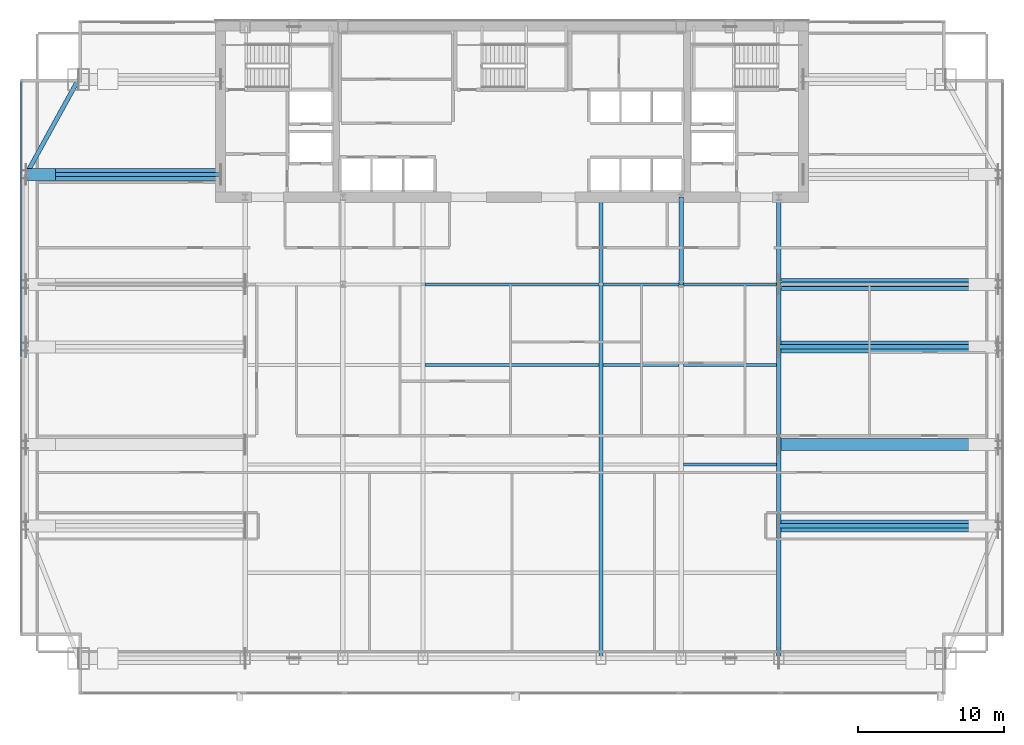
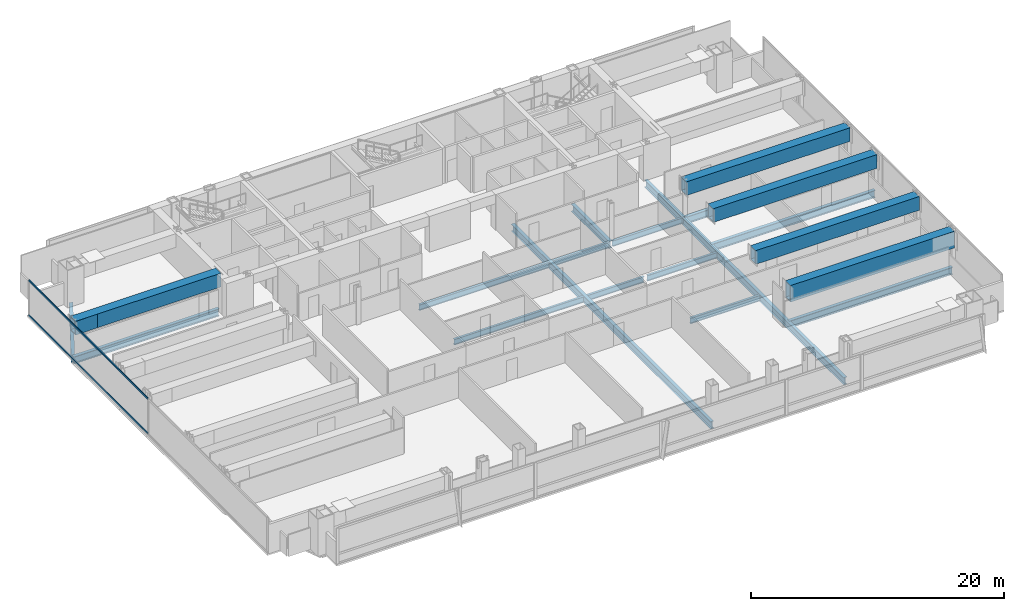
# One storey, part 15 of 30: 22 beams, 2 members, 1 element without a shape of its own.
"""IFC4 building model written with IfcOpenShell, lengths in metres."""

from ifc_helpers import new_model, si_unit, direction, frame, origin, origin_2d, place, context, subcontext, project, spatial, hollow_rectangle, i_section, extrude, material, material_profile, profile_set, type_object, element, aggregate, save


model = new_model("IFC4")

# Units and contexts
model_context = context("Model", 3, precision=1e-05, world=origin(), true_north=direction((0.0, 1.0)))
body_context = subcontext(model_context, "Body", "Model", "MODEL_VIEW")
ifc_project = project(units=[si_unit("LENGTHUNIT", "METRE"), si_unit("AREAUNIT", "SQUARE_METRE"), si_unit("VOLUMEUNIT", "CUBIC_METRE"), si_unit("PLANEANGLEUNIT", "RADIAN"), si_unit("MASSUNIT", "GRAM", prefix="KILO")], contexts=[model_context])

# Site, building, storey
site_placement = place(None, origin())
site = spatial("IfcSite", under=ifc_project, at=site_placement, CompositionType="ELEMENT")
building_placement = place(site_placement, origin())
building = spatial("IfcBuilding", under=site, at=building_placement, Name="Khoronbel Lancet Exchange", CompositionType="ELEMENT")
storey_placement = place(building_placement, frame((0.0, 0.0, 132.60009765625)))
storey = spatial("IfcBuildingStorey", under=building, at=storey_placement, Name="L32", CompositionType="ELEMENT", Elevation=132.60009765625)

# Beams
ifc_material_1 = material(Name="Steel S355", Category="steel")
ifc_material_profile_1 = material_profile(ifc_material_1, i_section(OverallWidth=0.300048828125, OverallDepth=0.699951171875, WebThickness=0.01708984375, FlangeThickness=0.031982421875, at=origin_2d()), Name="HEB 700")
ifc_profile_set_1 = profile_set([ifc_material_profile_1], Name="Steel S355")
beam_type_1 = type_object("IfcBeamType", Name="BM-BG3", PredefinedType="BEAM", material=ifc_profile_set_1)
beam_1_placement = place(storey_placement, frame((42.52490234375, 10.14990234375, -0.510009765625), z_axis=(0.0, 1.0, 0.0), x_axis=(-1.0, 0.0, 0.0)))
element("IfcBeam", 1, at=beam_1_placement, inside=storey, type_object=beam_type_1, Name="Level L32 primary floor girder G4", PredefinedType="BEAM", context=body_context, shape_type="SweptSolid", body=[
    extrude(i_section(OverallWidth=0.300048828125, OverallDepth=0.699951171875, WebThickness=0.01708984375, FlangeThickness=0.031982421875, at=origin_2d()), origin(), (0.0, 0.0, 1.0), 31.5),
])
beam_2_placement = place(storey_placement, frame((48.0, 35.699951171875, -0.510009765625), z_axis=(0.0, 1.0, 0.0), x_axis=(-1.0, 0.0, 0.0)))
element("IfcBeam", 2, at=beam_2_placement, inside=storey, type_object=beam_type_1, Name="Level L32 spine tie girder GN5", PredefinedType="BEAM", context=body_context, shape_type="SweptSolid", body=[
    extrude(i_section(OverallWidth=0.300048828125, OverallDepth=0.699951171875, WebThickness=0.01708984375, FlangeThickness=0.031982421875, at=origin_2d()), origin(), (0.0, 0.0, 1.0), 5.949951171875),
])
beam_3_placement = place(storey_placement, frame((54.675048828125, 10.14990234375, -0.510009765625), z_axis=(0.0, 1.0, 0.0), x_axis=(-1.0, 0.0, 0.0)))
element("IfcBeam", 3, at=beam_3_placement, inside=storey, type_object=beam_type_1, Name="Level L32 south primary girder GS6", PredefinedType="BEAM", context=body_context, shape_type="SweptSolid", body=[
    extrude(i_section(OverallWidth=0.300048828125, OverallDepth=0.699951171875, WebThickness=0.01708984375, FlangeThickness=0.031982421875, at=origin_2d()), origin(), (0.0, 0.0, 1.0), 25.550048828125),
])
beam_4_placement = place(storey_placement, frame((54.675048828125, 35.699951171875, -0.510009765625), z_axis=(0.0, 1.0, 0.0), x_axis=(-1.0, 0.0, 0.0)))
element("IfcBeam", 4, at=beam_4_placement, inside=storey, type_object=beam_type_1, Name="Level L32 spine tie girder GN6", PredefinedType="BEAM", context=body_context, shape_type="SweptSolid", body=[
    extrude(i_section(OverallWidth=0.300048828125, OverallDepth=0.699951171875, WebThickness=0.01708984375, FlangeThickness=0.031982421875, at=origin_2d()), origin(), (0.0, 0.0, 1.0), 5.949951171875),
])
for number, where, z_axis, x_axis, name in (
    (5, (54.675048828125, 19.199951171875, -0.510009765625), (1.0, 0.0, 0.0), (0.0, 1.0, 0.0), "Level L32 east lens tie girder LG1E"),
    (6, (54.675048828125, 31.425048828125, -0.510009765625), (1.0, 0.0, 0.0), (0.0, 1.0, 0.0), "Level L32 east lens tie girder LG2E"),
    (7, (54.675048828125, 35.699951171875, -0.510009765625), (1.0, 0.0, 0.0), (0.0, 1.0, 0.0), "Level L32 east lens tie girder LG4E"),
):
    element("IfcBeam", number, at=place(storey_placement, frame(where, z_axis=z_axis, x_axis=x_axis)), inside=storey, type_object=beam_type_1, Name=name, PredefinedType="BEAM", context=body_context, shape_type="SweptSolid", body=[
        extrude(i_section(OverallWidth=0.300048828125, OverallDepth=0.699951171875, WebThickness=0.01708984375, FlangeThickness=0.031982421875, at=origin_2d()), origin(), (0.0, 0.0, 1.0), 14.954833984375),
    ])
beam_5_placement = place(storey_placement, frame((3.27001953125, 43.199951171875, -0.510009765625), z_axis=(1.0, 0.0, 0.0), x_axis=(0.0, 1.0, 0.0)))
element("IfcBeam", 8, at=beam_5_placement, inside=storey, type_object=beam_type_1, Name="Level L32 west lens tie girder LG3W", PredefinedType="BEAM", context=body_context, shape_type="SweptSolid", body=[
    extrude(i_section(OverallWidth=0.300048828125, OverallDepth=0.699951171875, WebThickness=0.01708984375, FlangeThickness=0.031982421875, at=origin_2d()), origin(), (0.0, 0.0, 1.0), 13.280029296875),
])
ifc_material_profile_2 = material_profile(ifc_material_1, i_section(OverallWidth=0.2099609375, OverallDepth=0.550048828125, WebThickness=0.010986328125, FlangeThickness=0.01708984375, at=origin_2d()), Name="IPE 550")
ifc_profile_set_2 = profile_set([ifc_material_profile_2], Name="Steel S355")
beam_type_2 = type_object("IfcBeamType", Name="BM-BJ2", PredefinedType="JOIST", material=ifc_profile_set_2)
beam_6_placement = place(storey_placement, frame((48.14990234375, 23.39990234375, -0.43505859375), z_axis=(1.0, 0.0, 0.0), x_axis=(0.0, 1.0, 0.0)))
element("IfcBeam", 9, at=beam_6_placement, inside=storey, type_object=beam_type_2, Name="Level L32 secondary composite joist J10", PredefinedType="JOIST", context=body_context, shape_type="SweptSolid", body=[
    extrude(i_section(OverallWidth=0.2099609375, OverallDepth=0.550048828125, WebThickness=0.010986328125, FlangeThickness=0.01708984375, at=origin_2d()), origin(), (0.0, 0.0, 1.0), 6.375),
])
beam_7_placement = place(storey_placement, frame((30.52490234375, 30.199951171875, -0.43505859375), z_axis=(1.0, 0.0, 0.0), x_axis=(0.0, 1.0, 0.0)))
element("IfcBeam", 10, at=beam_7_placement, inside=storey, type_object=beam_type_2, Name="Level L32 secondary composite joist J13", PredefinedType="JOIST", context=body_context, shape_type="SweptSolid", body=[
    extrude(i_section(OverallWidth=0.2099609375, OverallDepth=0.550048828125, WebThickness=0.010986328125, FlangeThickness=0.01708984375, at=origin_2d()), origin(), (0.0, 0.0, 1.0), 11.85009765625),
])
beam_8_placement = place(storey_placement, frame((42.675048828125, 30.199951171875, -0.43505859375), z_axis=(1.0, 0.0, 0.0), x_axis=(0.0, 1.0, 0.0)))
element("IfcBeam", 11, at=beam_8_placement, inside=storey, type_object=beam_type_2, Name="Level L32 secondary composite joist J14", PredefinedType="JOIST", context=body_context, shape_type="SweptSolid", body=[
    extrude(i_section(OverallWidth=0.2099609375, OverallDepth=0.550048828125, WebThickness=0.010986328125, FlangeThickness=0.01708984375, at=origin_2d()), origin(), (0.0, 0.0, 1.0), 5.175048828125),
])
beam_9_placement = place(storey_placement, frame((48.14990234375, 30.199951171875, -0.43505859375), z_axis=(1.0, 0.0, 0.0), x_axis=(0.0, 1.0, 0.0)))
element("IfcBeam", 12, at=beam_9_placement, inside=storey, type_object=beam_type_2, Name="Level L32 secondary composite joist J15", PredefinedType="JOIST", context=body_context, shape_type="SweptSolid", body=[
    extrude(i_section(OverallWidth=0.2099609375, OverallDepth=0.550048828125, WebThickness=0.010986328125, FlangeThickness=0.01708984375, at=origin_2d()), origin(), (0.0, 0.0, 1.0), 6.375),
])
beam_10_placement = place(storey_placement, frame((30.52490234375, 35.699951171875, -0.43505859375), z_axis=(1.0, 0.0, 0.0), x_axis=(0.0, 1.0, 0.0)))
element("IfcBeam", 13, at=beam_10_placement, inside=storey, type_object=beam_type_2, Name="Level L32 secondary composite joist J18", PredefinedType="JOIST", context=body_context, shape_type="SweptSolid", body=[
    extrude(i_section(OverallWidth=0.2099609375, OverallDepth=0.550048828125, WebThickness=0.010986328125, FlangeThickness=0.01708984375, at=origin_2d()), origin(), (0.0, 0.0, 1.0), 11.85009765625),
])
beam_11_placement = place(storey_placement, frame((42.675048828125, 35.699951171875, -0.43505859375), z_axis=(1.0, 0.0, 0.0), x_axis=(0.0, 1.0, 0.0)))
element("IfcBeam", 14, at=beam_11_placement, inside=storey, type_object=beam_type_2, Name="Level L32 secondary composite joist J19", PredefinedType="JOIST", context=body_context, shape_type="SweptSolid", body=[
    extrude(i_section(OverallWidth=0.2099609375, OverallDepth=0.550048828125, WebThickness=0.010986328125, FlangeThickness=0.01708984375, at=origin_2d()), origin(), (0.0, 0.0, 1.0), 5.175048828125),
])
beam_12_placement = place(storey_placement, frame((48.14990234375, 35.699951171875, -0.43505859375), z_axis=(1.0, 0.0, 0.0), x_axis=(0.0, 1.0, 0.0)))
element("IfcBeam", 15, at=beam_12_placement, inside=storey, type_object=beam_type_2, Name="Level L32 secondary composite joist J20", PredefinedType="JOIST", context=body_context, shape_type="SweptSolid", body=[
    extrude(i_section(OverallWidth=0.2099609375, OverallDepth=0.550048828125, WebThickness=0.010986328125, FlangeThickness=0.01708984375, at=origin_2d()), origin(), (0.0, 0.0, 1.0), 6.375),
])
ifc_material_profile_3 = material_profile(ifc_material_1, i_section(OverallWidth=0.300048828125, OverallDepth=0.60009765625, WebThickness=0.015380859375, FlangeThickness=0.030029296875, at=origin_2d()), Name="HEB 600")
ifc_profile_set_3 = profile_set([ifc_material_profile_3], Name="Steel S355")
beam_type_3 = type_object("IfcBeamType", Name="BM-BSP2", PredefinedType="SPANDREL", material=ifc_profile_set_3)
beam_13_placement = place(storey_placement, frame((6.85009765625, 49.699951171875, -0.460205078125), z_axis=(-0.482444051088, -0.875926787791, 0.0), x_axis=(0.875926787791, -0.482444051088, 0.0)))
element("IfcBeam", 16, at=beam_13_placement, inside=storey, type_object=beam_type_3, Name="Level L32 perimeter spandrel beam SP16", PredefinedType="SPANDREL", context=body_context, shape_type="SweptSolid", body=[
    extrude(i_section(OverallWidth=0.300048828125, OverallDepth=0.60009765625, WebThickness=0.015380859375, FlangeThickness=0.030029296875, at=origin_2d()), origin(), (0.0, 0.0, 1.0), 7.420654296875),
])
ifc_material_2 = material(Name="Steel S460", Category="steel")
ifc_material_profile_4 = material_profile(ifc_material_2, hollow_rectangle(XDim=0.800048828125, YDim=1.60009765625, WallThickness=0.06494140625, at=origin_2d()), Name="BOX 800x1600x65")
ifc_profile_set_4 = profile_set([ifc_material_profile_4], Name="Steel S460")
beam_type_4 = type_object("IfcBeamType", Name="BM-TG2", PredefinedType="USERDEFINED", material=ifc_profile_set_4)
beam_14_placement = place(storey_placement, frame((54.675048828125, 19.199951171875, 2.639892578125), z_axis=(1.0, 0.0, 0.0), x_axis=(0.0, 1.0, 0.0)))
element("IfcBeam", 17, at=beam_14_placement, inside=storey, type_object=beam_type_4, Name="Lens setback S460 transfer girder L32-E1", ObjectType="TRANSFER GIRDER", PredefinedType="USERDEFINED", context=body_context, shape_type="SweptSolid", body=[
    extrude(hollow_rectangle(XDim=0.800048828125, YDim=1.60009765625, WallThickness=0.06494140625, at=origin_2d()), origin(), (0.0, 0.0, 1.0), 14.954833984375),
])
ifc_material_profile_5 = material_profile(ifc_material_2, hollow_rectangle(XDim=0.820068359375, YDim=1.320068359375, WallThickness=0.070068359375, at=origin_2d()), Name="BOX 820x1320x70")
ifc_profile_set_5 = profile_set([ifc_material_profile_5], Name="Steel S460")
beam_type_5 = type_object("IfcBeamType", Name="BM-TG4", PredefinedType="USERDEFINED", material=ifc_profile_set_5)
beam_15_placement = place(storey_placement, frame((3.27001953125, 43.199951171875, 2.760009765625), z_axis=(0.999951120325, 0.0, 0.009887212005), x_axis=(0.0, 1.0, 0.0)))
element("IfcBeam", 18, at=beam_15_placement, inside=storey, type_object=beam_type_5, Name="Setback transfer knee-brace girder L32-WC-4", ObjectType="TRANSFER GIRDER", PredefinedType="USERDEFINED", context=body_context, shape_type="SweptSolid", body=[
    extrude(hollow_rectangle(XDim=0.820068359375, YDim=1.320068359375, WallThickness=0.070068359375, at=origin_2d()), origin(), (0.0, 0.0, 1.0), 2.0),
])
for number, where, z_axis, x_axis, name in (
    (19, (54.675048828125, 24.75, 2.77978515625), (1.0, 0.0, 0.0), (0.0, 1.0, 0.0), "Lens setback S460 transfer girder L32-E2"),
    (20, (54.675048828125, 31.425048828125, 2.77978515625), (1.0, 0.0, 0.0), (0.0, 1.0, 0.0), "Lens setback S460 transfer girder L32-E3"),
    (21, (54.675048828125, 35.699951171875, 2.77978515625), (1.0, 0.0, 0.0), (0.0, 1.0, 0.0), "Lens setback S460 transfer girder L32-E4"),
):
    element("IfcBeam", number, at=place(storey_placement, frame(where, z_axis=z_axis, x_axis=x_axis)), inside=storey, type_object=beam_type_5, Name=name, ObjectType="TRANSFER GIRDER", PredefinedType="USERDEFINED", context=body_context, shape_type="SweptSolid", body=[
        extrude(hollow_rectangle(XDim=0.820068359375, YDim=1.320068359375, WallThickness=0.070068359375, at=origin_2d()), origin(), (0.0, 0.0, 1.0), 14.954833984375),
    ])
beam_16_placement = place(storey_placement, frame((3.27001953125, 43.199951171875, 2.77978515625), z_axis=(1.0, 0.0, 0.0), x_axis=(0.0, 1.0, 0.0)))
element("IfcBeam", 22, at=beam_16_placement, inside=storey, type_object=beam_type_5, Name="Lens setback S460 transfer girder L32-W5", ObjectType="TRANSFER GIRDER", PredefinedType="USERDEFINED", context=body_context, shape_type="SweptSolid", body=[
    extrude(hollow_rectangle(XDim=0.820068359375, YDim=1.320068359375, WallThickness=0.070068359375, at=origin_2d()), origin(), (0.0, 0.0, 1.0), 13.280029296875),
])

# Curtain wall, members
ifc_material_3 = material(Name="Low-E Solar Control Insulating Glass", Category="glass")
curtain_wall_type = type_object("IfcCurtainWallType", Name="CW-4", PredefinedType="NOTDEFINED", material=ifc_material_3)
curtain_wall_placement = place(storey_placement, origin())
curtain_wall = element("IfcCurtainWall", 23, at=curtain_wall_placement, inside=storey, type_object=curtain_wall_type, Name="Unitised curtain wall CW-L32-E03", PredefinedType="NOTDEFINED")
ifc_material_4 = material(Name="Bronze-Anodised Aluminium 6063-T6", Category="aluminium")
ifc_material_profile_6 = material_profile(ifc_material_4, hollow_rectangle(XDim=0.0849609375, YDim=0.179931640625, WallThickness=0.0048828125, at=origin_2d()), Name="ALU TRANSOM 85x180")
ifc_profile_set_6 = profile_set([ifc_material_profile_6], Name="Bronze-Anodised Aluminium 6063-T6")
member_type = type_object("IfcMemberType", Name="MEM-CWT1", PredefinedType="USERDEFINED", material=ifc_profile_set_6)
member_1_placement = place(storey_placement, frame((2.93994140625, 30.737548828125, 0.04248046875), z_axis=(0.0, 1.0, 0.0), x_axis=(-1.0, 0.0, 0.0)))
member_1 = element("IfcMember", 24, at=member_1_placement, type_object=member_type, Name="CW4 transom 2.1", ObjectType="TRANSOM", PredefinedType="USERDEFINED", context=body_context, shape_type="SweptSolid", body=[
    extrude(hollow_rectangle(XDim=0.0849609375, YDim=0.179931640625, WallThickness=0.0048828125, at=origin_2d()), origin(), (0.0, 0.0, 1.0), 18.79736328125),
])
member_2_placement = place(storey_placement, frame((2.93994140625, 30.737548828125, 3.3974609375), z_axis=(0.0, 1.0, 0.0), x_axis=(-1.0, 0.0, 0.0)))
member_2 = element("IfcMember", 25, at=member_2_placement, type_object=member_type, Name="CW4 transom 2.2", ObjectType="TRANSOM", PredefinedType="USERDEFINED", context=body_context, shape_type="SweptSolid", body=[
    extrude(hollow_rectangle(XDim=0.0849609375, YDim=0.179931640625, WallThickness=0.0048828125, at=origin_2d()), origin(), (0.0, 0.0, 1.0), 18.79736328125),
])
aggregate(curtain_wall, [member_1, member_2])

save(model, "model.ifc")
